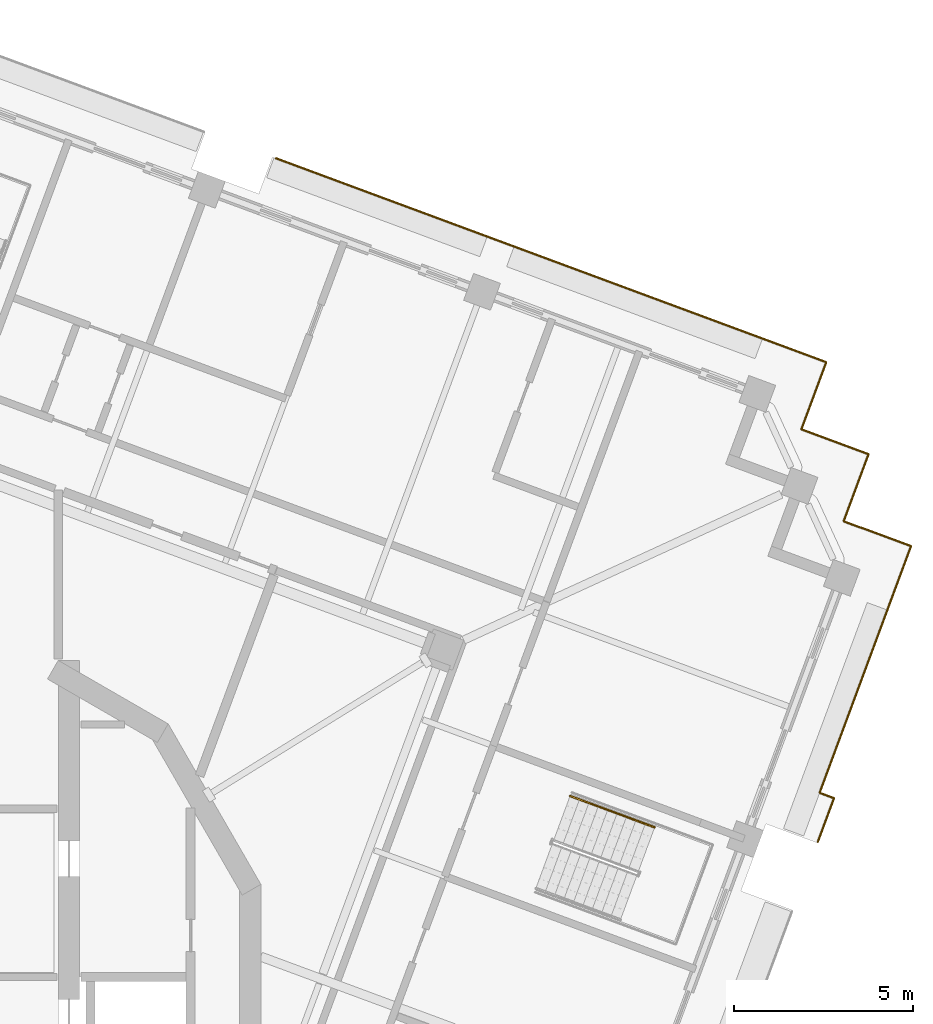
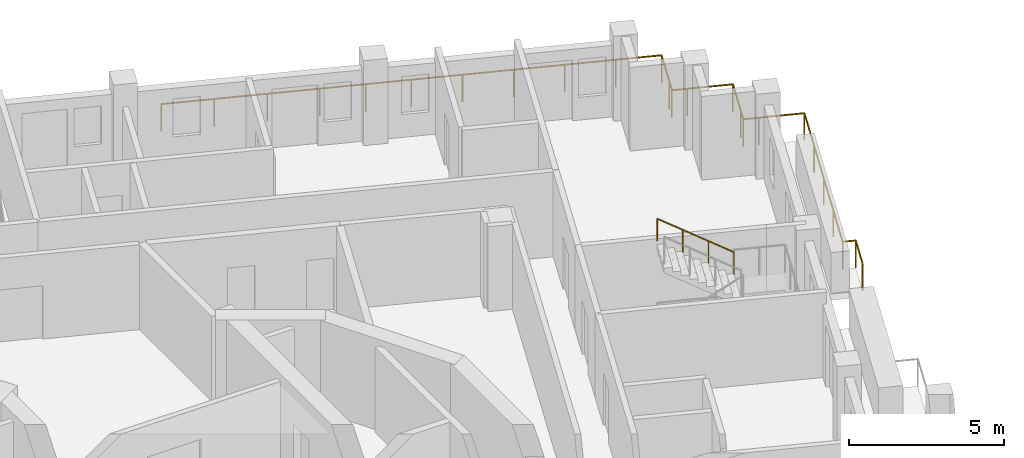
# One storey, part 18 of 19: 2 railings.
"""IFC4 building model written with IfcOpenShell, lengths in metres."""

from ifc_helpers import new_model, si_unit, direction, frame, origin, origin_2d, place, context, subcontext, project, spatial, circle, extrude, material, type_object, element, save


model = new_model("IFC4")

# Units and contexts
model_context = context("Model", 3, precision=1e-05, world=origin(), true_north=direction((0.0, 1.0)))
body_context = subcontext(model_context, "Body", "Model", "MODEL_VIEW")
ifc_project = project(units=[si_unit("LENGTHUNIT", "METRE"), si_unit("AREAUNIT", "SQUARE_METRE"), si_unit("VOLUMEUNIT", "CUBIC_METRE"), si_unit("PLANEANGLEUNIT", "RADIAN"), si_unit("MASSUNIT", "GRAM", prefix="KILO")], contexts=[model_context])

# Site, building, storey
site_placement = place(None, origin())
site = spatial("IfcSite", under=ifc_project, at=site_placement, CompositionType="ELEMENT")
building_placement = place(site_placement, origin())
building = spatial("IfcBuilding", under=site, at=building_placement, Name="Cantera Rosa Tower", CompositionType="ELEMENT")
storey_placement = place(building_placement, frame((0.0, 0.0, 324.10009765625)))
storey = spatial("IfcBuildingStorey", under=building, at=storey_placement, Name="L72", CompositionType="ELEMENT", Elevation=324.10009765625)

# Railings
ifc_material_1 = material(Name="Stainless steel and laminated glass", Category="steel")
railing_type_1 = type_object("IfcRailingType", Name="GUARD 1100", PredefinedType="BALUSTRADE", material=ifc_material_1)
railing_1_placement = place(storey_placement, frame((10.076171875, 22.8740234375, 0.0)))
element("IfcRailing", 1, at=railing_1_placement, inside=storey, type_object=railing_type_1, Name="GUARD L72-8", PredefinedType="BALUSTRADE", context=body_context, shape_type="SweptSolid", body=[
    extrude(circle(Radius=0.030029296875, at=origin_2d()), frame((0.0, 0.0, 1.070068359375), z_axis=(0.937688147358, -0.347477968085, 0.0), x_axis=(0.347477968085, 0.937688147358, 0.0)), (0.0, 0.0, 1.0), 5.199951171875),
    extrude(circle(Radius=0.030029296875, at=origin_2d()), frame((4.8759765625, -1.806884765625, 1.070068359375), z_axis=(0.937680024402, -0.347499887537, 0.0), x_axis=(0.347499887537, 0.937680024402, 0.0)), (0.0, 0.0, 1.0), 3.0),
    extrude(circle(Radius=0.030029296875, at=origin_2d()), frame((7.68896484375, -2.849365234375, 1.070068359375), z_axis=(0.937686328856, -0.347482875373, 0.0), x_axis=(0.347482875373, 0.937686328856, 0.0)), (0.0, 0.0, 1.0), 6.699951171875),
    extrude(circle(Radius=0.030029296875, at=origin_2d()), frame((13.971435546875, -5.177490234375, 1.070068359375), z_axis=(0.93769967459, -0.347446859641, 0.0), x_axis=(0.347446859641, 0.93769967459, 0.0)), (0.0, 0.0, 1.0), 1.500244140625),
    extrude(circle(Radius=0.030029296875, at=origin_2d()), frame((15.378173828125, -5.69873046875, 1.070068359375), z_axis=(-0.347499887537, -0.937680024402, 0.0), x_axis=(0.937680024402, -0.347499887537, 0.0)), (0.0, 0.0, 1.0), 1.5),
    extrude(circle(Radius=0.030029296875, at=origin_2d()), frame((14.85693359375, -7.105224609375, 1.070068359375), z_axis=(-0.347696042931, -0.937607306781, 0.0), x_axis=(0.937607306781, -0.347696042931, 0.0)), (0.0, 0.0, 1.0), 0.5),
    extrude(circle(Radius=0.030029296875, at=origin_2d()), frame((14.68310546875, -7.573974609375, 1.070068359375), z_axis=(0.937607306781, -0.347696042931, 0.0), x_axis=(0.347696042931, 0.937607306781, 0.0)), (0.0, 0.0, 1.0), 0.5),
    extrude(circle(Radius=0.030029296875, at=origin_2d()), frame((15.15185546875, -7.747802734375, 1.070068359375), z_axis=(0.93769967459, -0.347446859641, 0.0), x_axis=(0.347446859641, 0.93769967459, 0.0)), (0.0, 0.0, 1.0), 1.500244140625),
    extrude(circle(Radius=0.030029296875, at=origin_2d()), frame((16.55859375, -8.26904296875, 1.070068359375), z_axis=(-0.347499887537, -0.937680024402, 0.0), x_axis=(0.937680024402, -0.347499887537, 0.0)), (0.0, 0.0, 1.0), 1.5),
    extrude(circle(Radius=0.030029296875, at=origin_2d()), frame((16.037353515625, -9.675537109375, 1.070068359375), z_axis=(-0.347696042931, -0.937607306781, 0.0), x_axis=(0.937607306781, -0.347696042931, 0.0)), (0.0, 0.0, 1.0), 0.5),
    extrude(circle(Radius=0.030029296875, at=origin_2d()), frame((15.863525390625, -10.144287109375, 1.070068359375), z_axis=(0.937607306781, -0.347696042931, 0.0), x_axis=(0.347696042931, 0.937607306781, 0.0)), (0.0, 0.0, 1.0), 0.5),
    extrude(circle(Radius=0.030029296875, at=origin_2d()), frame((16.332275390625, -10.318115234375, 1.070068359375), z_axis=(0.378632845721, 0.925546956206, 0.0), x_axis=(-0.925546956206, 0.378632845721, 0.0)), (0.0, 0.0, 1.0), 0.005859375),
    extrude(circle(Radius=0.030029296875, at=origin_2d()), frame((16.33447265625, -10.312744140625, 1.070068359375), z_axis=(0.937688112969, -0.347478060884, 0.0), x_axis=(0.347478060884, 0.937688112969, 0.0)), (0.0, 0.0, 1.0), 1.505615234375),
    extrude(circle(Radius=0.030029296875, at=origin_2d()), frame((17.746337890625, -10.8359375, 1.070068359375), z_axis=(-0.347491761562, -0.93768303581, 0.0), x_axis=(0.93768303581, -0.347491761562, 0.0)), (0.0, 0.0, 1.0), 7.350341796875),
    extrude(circle(Radius=0.030029296875, at=origin_2d()), frame((15.192138671875, -17.728271484375, 1.070068359375), z_axis=(0.937584149048, -0.347758484374, 0.0), x_axis=(0.347758484374, 0.937584149048, 0.0)), (0.0, 0.0, 1.0), 0.4296875),
    extrude(circle(Radius=0.030029296875, at=origin_2d()), frame((15.594970703125, -17.877685546875, 1.070068359375), z_axis=(-0.347533658579, -0.937667508318, 0.0), x_axis=(0.937667508318, -0.347533658579, 0.0)), (0.0, 0.0, 1.0), 1.30517578125),
    extrude(circle(Radius=0.02490234375, at=origin_2d()), origin(), (0.0, 0.0, 1.0), 1.0400390625),
    extrude(circle(Radius=0.02490234375, at=origin_2d()), frame((1.625244140625, -0.602294921875, 0.0)), (0.0, 0.0, 1.0), 1.0400390625),
    extrude(circle(Radius=0.02490234375, at=origin_2d()), frame((3.250732421875, -1.20458984375, 0.0)), (0.0, 0.0, 1.0), 1.0400390625),
    extrude(circle(Radius=0.02490234375, at=origin_2d()), frame((4.8759765625, -1.806884765625, 0.0)), (0.0, 0.0, 1.0), 1.0400390625),
    extrude(circle(Radius=0.02490234375, at=origin_2d()), frame((6.282470703125, -2.328125, 0.0)), (0.0, 0.0, 1.0), 1.0400390625),
    extrude(circle(Radius=0.02490234375, at=origin_2d()), frame((7.68896484375, -2.849365234375, 0.0)), (0.0, 0.0, 1.0), 1.0400390625),
    extrude(circle(Radius=0.02490234375, at=origin_2d()), frame((9.259521484375, -3.431396484375, 0.0)), (0.0, 0.0, 1.0), 1.0400390625),
    extrude(circle(Radius=0.02490234375, at=origin_2d()), frame((10.830078125, -4.013427734375, 0.0)), (0.0, 0.0, 1.0), 1.0400390625),
    extrude(circle(Radius=0.02490234375, at=origin_2d()), frame((12.40087890625, -4.595458984375, 0.0)), (0.0, 0.0, 1.0), 1.0400390625),
    extrude(circle(Radius=0.02490234375, at=origin_2d()), frame((13.971435546875, -5.177490234375, 0.0)), (0.0, 0.0, 1.0), 1.0400390625),
    extrude(circle(Radius=0.02490234375, at=origin_2d()), frame((15.378173828125, -5.69873046875, 0.0)), (0.0, 0.0, 1.0), 1.0400390625),
    extrude(circle(Radius=0.02490234375, at=origin_2d()), frame((14.85693359375, -7.105224609375, 0.0)), (0.0, 0.0, 1.0), 1.0400390625),
    extrude(circle(Radius=0.02490234375, at=origin_2d()), frame((14.68310546875, -7.573974609375, 0.0)), (0.0, 0.0, 1.0), 1.0400390625),
    extrude(circle(Radius=0.02490234375, at=origin_2d()), frame((15.15185546875, -7.747802734375, 0.0)), (0.0, 0.0, 1.0), 1.0400390625),
    extrude(circle(Radius=0.02490234375, at=origin_2d()), frame((16.55859375, -8.26904296875, 0.0)), (0.0, 0.0, 1.0), 1.0400390625),
    extrude(circle(Radius=0.02490234375, at=origin_2d()), frame((16.037353515625, -9.675537109375, 0.0)), (0.0, 0.0, 1.0), 1.0400390625),
    extrude(circle(Radius=0.02490234375, at=origin_2d()), frame((15.863525390625, -10.144287109375, 0.0)), (0.0, 0.0, 1.0), 1.0400390625),
    extrude(circle(Radius=0.02490234375, at=origin_2d()), frame((16.332275390625, -10.318115234375, 0.0)), (0.0, 0.0, 1.0), 1.0400390625),
    extrude(circle(Radius=0.02490234375, at=origin_2d()), frame((16.33447265625, -10.312744140625, 0.0)), (0.0, 0.0, 1.0), 1.0400390625),
    extrude(circle(Radius=0.02490234375, at=origin_2d()), frame((17.746337890625, -10.8359375, 0.0)), (0.0, 0.0, 1.0), 1.0400390625),
    extrude(circle(Radius=0.02490234375, at=origin_2d()), frame((17.10791015625, -12.55908203125, 0.0)), (0.0, 0.0, 1.0), 1.0400390625),
    extrude(circle(Radius=0.02490234375, at=origin_2d()), frame((16.46923828125, -14.2822265625, 0.0)), (0.0, 0.0, 1.0), 1.0400390625),
    extrude(circle(Radius=0.02490234375, at=origin_2d()), frame((15.83056640625, -16.005126953125, 0.0)), (0.0, 0.0, 1.0), 1.0400390625),
    extrude(circle(Radius=0.02490234375, at=origin_2d()), frame((15.192138671875, -17.728271484375, 0.0)), (0.0, 0.0, 1.0), 1.0400390625),
    extrude(circle(Radius=0.02490234375, at=origin_2d()), frame((15.594970703125, -17.877685546875, 0.0)), (0.0, 0.0, 1.0), 1.0400390625),
    extrude(circle(Radius=0.02490234375, at=origin_2d()), frame((15.141357421875, -19.1015625, 0.0)), (0.0, 0.0, 1.0), 1.0400390625),
])
ifc_material_2 = material(Name="Steel S355J2 (EN 10025-2)", Category="steel")
railing_type_2 = type_object("IfcRailingType", Name="STAIR HANDRAIL 900", PredefinedType="HANDRAIL", material=ifc_material_2)
railing_2_placement = place(storey_placement, frame((20.660400390625, 4.181396484375, 1.97998046875)))
element("IfcRailing", 2, at=railing_2_placement, inside=storey, type_object=railing_type_2, Name="L72 ST-61 stair handrail 2", PredefinedType="HANDRAIL", context=body_context, shape_type="SweptSolid", body=[
    extrude(circle(Radius=0.02392578125, at=origin_2d()), frame((0.0, 0.0, 0.8759765625), z_axis=(-0.78878233546, 0.292319685639, 0.540713998944), x_axis=(-0.347500508527, -0.937679794265, 0.0)), (0.0, 0.0, 1.0), 2.995849609375),
    extrude(circle(Radius=0.02099609375, at=origin_2d()), origin(), (0.0, 0.0, 1.0), 0.851806640625),
    extrude(circle(Radius=0.02099609375, at=origin_2d()), frame((-0.78759765625, 0.2919921875, 0.5400390625)), (0.0, 0.0, 1.0), 0.851806640625),
    extrude(circle(Radius=0.02099609375, at=origin_2d()), frame((-1.575439453125, 0.583740234375, 1.079833984375)), (0.0, 0.0, 1.0), 0.851806640625),
    extrude(circle(Radius=0.02099609375, at=origin_2d()), frame((-2.363037109375, 0.875732421875, 1.619873046875)), (0.0, 0.0, 1.0), 0.851806640625),
])

save(model, "model.ifc")
